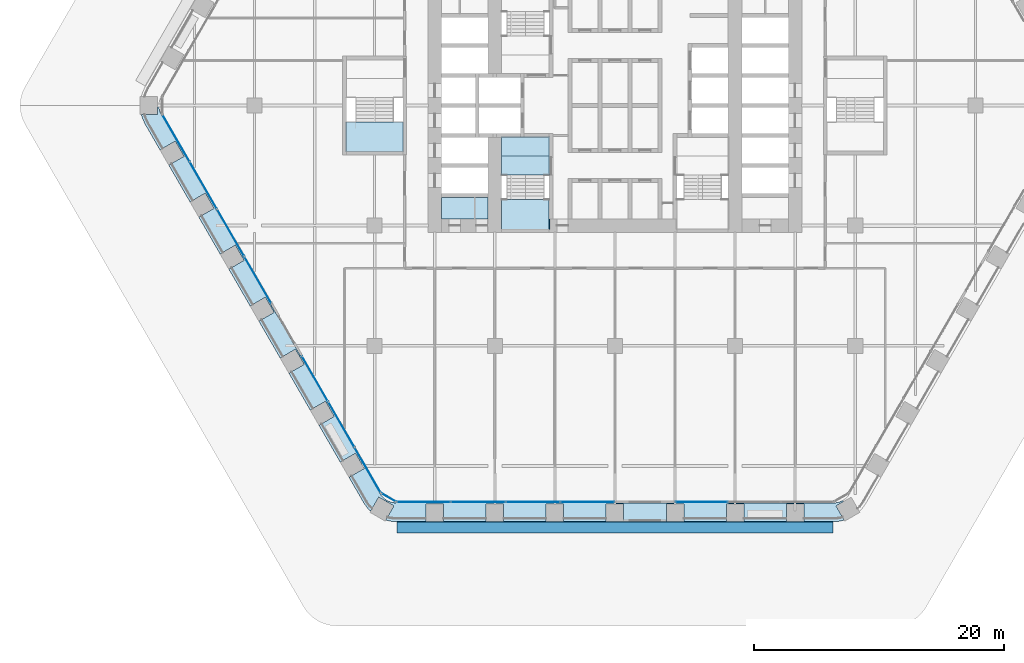
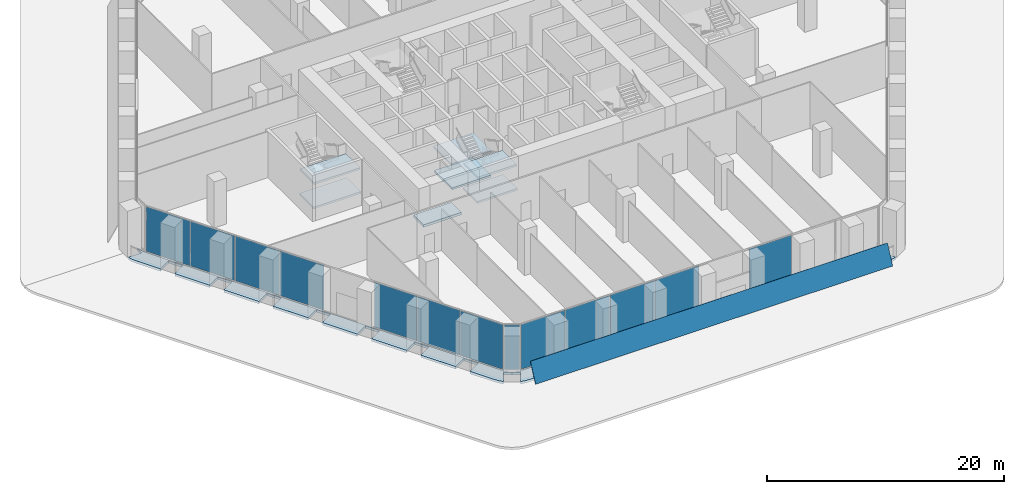
# One storey, part 14 of 29: 14 plates, 10 slabs, 7 elements without a shape of their own.
"""IFC4 building model written with IfcOpenShell, lengths in metres."""

from ifc_helpers import new_model, si_unit, direction, frame, origin, origin_2d, place, context, subcontext, project, spatial, polyline, rectangle, outline, extrude, material, layer, layer_set, type_object, element, aggregate, save


model = new_model("IFC4")

# Units and contexts
model_context = context("Model", 3, precision=1e-05, world=origin(), true_north=direction((0.0, 1.0)))
body_context = subcontext(model_context, "Body", "Model", "MODEL_VIEW")
ifc_project = project(units=[si_unit("LENGTHUNIT", "METRE"), si_unit("AREAUNIT", "SQUARE_METRE"), si_unit("VOLUMEUNIT", "CUBIC_METRE"), si_unit("PLANEANGLEUNIT", "RADIAN"), si_unit("MASSUNIT", "GRAM", prefix="KILO")], contexts=[model_context])

# Site, building, storey
site_placement = place(None, origin())
site = spatial("IfcSite", under=ifc_project, at=site_placement, CompositionType="ELEMENT")
building_placement = place(site_placement, origin())
building = spatial("IfcBuilding", under=site, at=building_placement, Name="Kolab Exchange Tower", CompositionType="ELEMENT")
storey_placement = place(building_placement, frame((0.0, 0.0, 17.39990234375)))
storey = spatial("IfcBuildingStorey", under=building, at=storey_placement, Name="L03", CompositionType="ELEMENT", Elevation=17.39990234375)

# Slabs
ifc_material_1 = material(Name="Concrete C35/45", Category="concrete")
ifc_layer_1 = layer(ifc_material_1, 0.25)
ifc_layer_set_1 = layer_set([ifc_layer_1], Name="Concrete C35/45")
slab_type_1 = type_object("IfcSlabType", Name="FLOOR SLAB 250", PredefinedType="FLOOR", material=ifc_layer_set_1)
slab_1_placement = place(storey_placement, frame((0.0, 0.0, -0.25)))
element("IfcSlab", 1, at=slab_1_placement, inside=storey, type_object=slab_type_1, Name="slab/L03/floor/10", PredefinedType="FLOOR", context=body_context, shape_type="SweptSolid", body=[
    extrude(outline(polyline([(-10.14990234375, -9.050048828125), (-10.14990234375, -7.35009765625), (-13.85009765625, -7.35009765625), (-13.85009765625, -9.050048828125), (-10.14990234375, -9.050048828125)])), origin(), (0.0, 0.0, 1.0), 0.25),
])
slab_2_placement = place(storey_placement, frame((0.0, 0.0, -0.25)))
element("IfcSlab", 2, at=slab_2_placement, inside=storey, type_object=slab_type_1, Name="slab/L03/floor/21", PredefinedType="FLOOR", context=body_context, shape_type="SweptSolid", body=[
    extrude(outline(polyline([(-9.050048828125, -4.050048828125), (-5.25, -4.050048828125), (-5.25, -2.550048828125), (-7.25, -2.550048828125), (-7.550048828125, -2.550048828125), (-9.050048828125, -2.550048828125), (-9.050048828125, -4.050048828125)])), origin(), (0.0, 0.0, 1.0), 0.25),
])
ifc_layer_2 = layer(ifc_material_1, 0.25)
ifc_layer_set_2 = layer_set([ifc_layer_2], Name="Concrete C35/45")
slab_type_2 = type_object("IfcSlabType", Name="LOGGIA SLAB 250", PredefinedType="FLOOR", material=ifc_layer_set_2)
slab_3_placement = place(storey_placement, frame((0.0, 0.0, -0.25)))
element("IfcSlab", 3, at=slab_3_placement, inside=storey, type_object=slab_type_2, Name="slab/L03/loggia/3-0", PredefinedType="FLOOR", context=body_context, shape_type="SweptSolid", body=[
    extrude(outline(polyline([(-18.218017578125, -31.554443359375), (-18.26806640625, -31.64111328125), (-17.66162109375, -31.990966796875), (-18.31494140625, -33.122314453125), (-17.989013671875, -33.209716796875), (-17.468017578125, -33.25537109375), (-15.10009765625, -33.25537109375), (-15.10009765625, -31.85546875), (-13.699951171875, -31.85546875), (-13.699951171875, -33.25537109375), (-10.300048828125, -33.25537109375), (-10.300048828125, -31.85546875), (-8.89990234375, -31.85546875), (-8.89990234375, -33.25537109375), (-5.5, -33.25537109375), (-5.5, -31.85546875), (-4.10009765625, -31.85546875), (-4.10009765625, -33.25537109375), (-0.699951171875, -33.25537109375), (-0.699951171875, -31.85546875), (0.699951171875, -31.85546875), (0.699951171875, -33.25537109375), (4.10009765625, -33.25537109375), (4.10009765625, -31.85546875), (5.5, -31.85546875), (5.5, -33.25537109375), (8.89990234375, -33.25537109375), (8.89990234375, -31.85546875), (10.300048828125, -31.85546875), (10.300048828125, -33.25537109375), (13.699951171875, -33.25537109375), (13.699951171875, -31.85546875), (15.10009765625, -31.85546875), (15.10009765625, -33.25537109375), (17.468017578125, -33.25537109375), (17.989013671875, -33.209716796875), (18.31494140625, -33.122314453125), (17.66162109375, -31.990966796875), (18.26806640625, -31.64111328125), (18.218017578125, -31.554443359375), (17.98095703125, -31.664794921875), (17.728515625, -31.732666015625), (17.468017578125, -31.75537109375), (-17.468017578125, -31.75537109375), (-17.728515625, -31.732666015625), (-17.98095703125, -31.664794921875), (-18.218017578125, -31.554443359375)])), origin(), (0.0, 0.0, 1.0), 0.25),
])
slab_4_placement = place(storey_placement, frame((0.0, 0.0, -0.25)))
element("IfcSlab", 4, at=slab_4_placement, inside=storey, type_object=slab_type_2, Name="slab/L03/loggia/4-0", PredefinedType="FLOOR", context=body_context, shape_type="SweptSolid", body=[
    extrude(outline(polyline([(-36.435791015625, 0.0), (-36.535888671875, 0.0), (-36.535888671875, -0.699951171875), (-37.84228515625, -0.699951171875), (-37.7548828125, -1.026123046875), (-37.533935546875, -1.5), (-36.35009765625, -3.55078125), (-35.137451171875, -2.8505859375), (-34.4375, -4.063232421875), (-35.64990234375, -4.76318359375), (-33.949951171875, -7.70751953125), (-32.737548828125, -7.007568359375), (-32.03759765625, -8.219970703125), (-33.25, -8.920166015625), (-31.550048828125, -11.864501953125), (-30.337646484375, -11.16455078125), (-29.637451171875, -12.376953125), (-30.85009765625, -13.076904296875), (-29.14990234375, -16.021484375), (-27.9375, -15.321533203125), (-27.237548828125, -16.533935546875), (-28.449951171875, -17.23388671875), (-26.75, -20.178466796875), (-25.53759765625, -19.478271484375), (-24.837646484375, -20.69091796875), (-26.050048828125, -21.390869140625), (-24.35009765625, -24.335205078125), (-23.137451171875, -23.63525390625), (-22.4375, -24.84765625), (-23.64990234375, -25.5478515625), (-21.949951171875, -28.4921875), (-20.737548828125, -27.792236328125), (-20.03759765625, -29.004638671875), (-21.25, -29.70458984375), (-20.06591796875, -31.75537109375), (-19.76611328125, -32.183837890625), (-19.52734375, -32.42236328125), (-18.874267578125, -31.291015625), (-18.26806640625, -31.64111328125), (-18.218017578125, -31.554443359375), (-18.43212890625, -31.404541015625), (-18.616943359375, -31.219482421875), (-18.76708984375, -31.00537109375), (-36.23486328125, -0.75), (-36.345458984375, -0.512939453125), (-36.4130859375, -0.260498046875), (-36.435791015625, 0.0)])), origin(), (0.0, 0.0, 1.0), 0.25),
])

# Plate
ifc_material_2 = material(Name="Laminated glass, clear", Category="glass")
ifc_layer_3 = layer(ifc_material_2, 0.0400390625)
ifc_layer_set_3 = layer_set([ifc_layer_3], Name="Laminated glass, clear")
plate_type_1 = type_object("IfcPlateType", Name="OUTER SKIN LAMINATED GLASS SHEET 40", PredefinedType="SHEET", material=ifc_layer_set_3)
plate_1_placement = place(storey_placement, frame((17.41796875, -34.160400390625, 0.027099609375), z_axis=(0.0, -0.90630448544, 0.422625341965), x_axis=(-1.0, 0.0, 0.0)))
element("IfcPlate", 5, at=plate_1_placement, inside=storey, type_object=plate_type_1, Name="Outer skin", PredefinedType="SHEET", context=body_context, shape_type="SweptSolid", body=[
    extrude(outline(polyline([(0.0, 0.0), (34.8359375, 0.0), (34.8359375, -2.0553721168505734), (0.0, -2.0553721168505734), (0.0, 0.0)])), origin(), (0.0, 0.0, -1.0), 0.0400390625),
])

# Stair, slabs
ifc_material_3 = material(Name="Concrete C50/60", Category="concrete")
stair_type_1 = type_object("IfcStairType", Name="STAIR ST3 RISER 156.2", PredefinedType="DOUBLE_RETURN_STAIR", material=ifc_material_3)
stair_1_placement = place(storey_placement, origin())
stair_1 = element("IfcStair", 6, at=stair_1_placement, inside=storey, type_object=stair_type_1, Name="Stair 3", PredefinedType="DOUBLE_RETURN_STAIR")
ifc_layer_4 = layer(ifc_material_3, 0.199951171875)
ifc_layer_set_4 = layer_set([ifc_layer_4], Name="Concrete C50/60")
slab_type_3 = type_object("IfcSlabType", Name="STAIR LANDING 200", PredefinedType="LANDING", material=ifc_layer_set_4)
slab_5_placement = place(storey_placement, frame((0.0, 0.0, -0.199951171875)))
slab_5 = element("IfcSlab", 7, at=slab_5_placement, type_object=slab_type_3, Name="ST3 landing 1", PredefinedType="LANDING", context=body_context, shape_type="SweptSolid", body=[
    extrude(outline(polyline([(-9.050048828125, -5.550048828125), (-5.25, -5.550048828125), (-5.25, -4.050048828125), (-9.050048828125, -4.050048828125), (-9.050048828125, -5.550048828125)])), origin(), (0.0, 0.0, 1.0), 0.199951171875),
])
slab_6_placement = place(storey_placement, frame((0.0, 0.0, 1.050048828125)))
slab_6 = element("IfcSlab", 8, at=slab_6_placement, type_object=slab_type_3, Name="ST3 landing 2", PredefinedType="LANDING", context=body_context, shape_type="SweptSolid", body=[
    extrude(outline(polyline([(-9.110107421875, -9.909912109375), (-5.18994140625, -9.909912109375), (-5.18994140625, -7.510009765625), (-9.110107421875, -7.510009765625), (-9.110107421875, -9.909912109375)])), origin(), (0.0, 0.0, 1.0), 0.199951171875),
])
slab_7_placement = place(storey_placement, frame((0.0, 0.0, 2.300048828125)))
slab_7 = element("IfcSlab", 9, at=slab_7_placement, type_object=slab_type_3, Name="ST3 landing 3", PredefinedType="LANDING", context=body_context, shape_type="SweptSolid", body=[
    extrude(outline(polyline([(-9.110107421875, -5.550048828125), (-5.18994140625, -5.550048828125), (-5.18994140625, -2.489990234375), (-9.110107421875, -2.489990234375), (-9.110107421875, -5.550048828125)])), origin(), (0.0, 0.0, 1.0), 0.199951171875),
])
slab_8_placement = place(storey_placement, frame((0.0, 0.0, 3.550048828125)))
slab_8 = element("IfcSlab", 10, at=slab_8_placement, type_object=slab_type_3, Name="ST3 landing 4", PredefinedType="LANDING", context=body_context, shape_type="SweptSolid", body=[
    extrude(outline(polyline([(-9.050048828125, -9.909912109375), (-5.25, -9.909912109375), (-5.25, -7.510009765625), (-9.050048828125, -7.510009765625), (-9.050048828125, -9.909912109375)])), origin(), (0.0, 0.0, 1.0), 0.199951171875),
])
aggregate(stair_1, [slab_5, slab_6, slab_7, slab_8])

stair_type_2 = type_object("IfcStairType", Name="STAIR ST5 RISER 156.2", PredefinedType="DOUBLE_RETURN_STAIR", material=ifc_material_3)
stair_2_placement = place(storey_placement, origin())
stair_2 = element("IfcStair", 11, at=stair_2_placement, inside=storey, type_object=stair_type_2, Name="Stair 5", PredefinedType="DOUBLE_RETURN_STAIR")
slab_9_placement = place(storey_placement, frame((0.0, 0.0, 1.050048828125)))
slab_9 = element("IfcSlab", 12, at=slab_9_placement, type_object=slab_type_3, Name="ST5 landing 2", PredefinedType="LANDING", context=body_context, shape_type="SweptSolid", body=[
    extrude(outline(polyline([(-21.510009765625, -3.7099609375), (-16.889892578125, -3.7099609375), (-16.889892578125, -1.31005859375), (-21.510009765625, -1.31005859375), (-21.510009765625, -3.7099609375)])), origin(), (0.0, 0.0, 1.0), 0.199951171875),
])
slab_10_placement = place(storey_placement, frame((0.0, 0.0, 3.550048828125)))
slab_10 = element("IfcSlab", 13, at=slab_10_placement, type_object=slab_type_3, Name="ST5 landing 4", PredefinedType="LANDING", context=body_context, shape_type="SweptSolid", body=[
    extrude(outline(polyline([(-21.449951171875, -3.7099609375), (-16.949951171875, -3.7099609375), (-16.949951171875, -1.31005859375), (-21.449951171875, -1.31005859375), (-21.449951171875, -3.7099609375)])), origin(), (0.0, 0.0, 1.0), 0.199951171875),
])
aggregate(stair_2, [slab_9, slab_10])

# Curtain wall, plate
ifc_material_4 = material(Name="Aluminium EN AW-6063 T6", Category="aluminium")
curtain_wall_type = type_object("IfcCurtainWallType", Name="UNITISED LOW ZONE CURTAIN WALL", PredefinedType="NOTDEFINED", material=ifc_material_4)
curtain_wall_1_placement = place(storey_placement, origin())
curtain_wall_1 = element("IfcCurtainWall", 14, at=curtain_wall_1_placement, inside=storey, type_object=curtain_wall_type, Name="cw/L03/F4-1", PredefinedType="NOTDEFINED")
ifc_material_5 = material(Name="Clear insulated glazing unit", Category="glass")
ifc_layer_5 = layer(ifc_material_5, 0.02392578125)
ifc_layer_set_5 = layer_set([ifc_layer_5], Name="Clear insulated glazing unit")
plate_type_2 = type_object("IfcPlateType", Name="UNITISED LOW ZONE GLASS PANEL 24", PredefinedType="CURTAIN_PANEL", material=ifc_layer_set_5)
plate_2_placement = place(storey_placement, frame((6.92626953125, -31.67529296875, 0.06005859375), z_axis=(0.0, 0.0, 1.0), x_axis=(-1.0, 0.0, 0.0)))
plate_2 = element("IfcPlate", 15, at=plate_2_placement, type_object=plate_type_2, Name="CW1 panel 3.1", PredefinedType="CURTAIN_PANEL", context=body_context, shape_type="SweptSolid", body=[
    extrude(rectangle(XDim=4.132568359375, YDim=0.02392578125, at=origin_2d()), origin(), (0.0, 0.0, 1.0), 4.6298828125),
])
aggregate(curtain_wall_1, [plate_2])

# Curtain wall, plates
curtain_wall_2_placement = place(storey_placement, origin())
curtain_wall_2 = element("IfcCurtainWall", 16, at=curtain_wall_2_placement, inside=storey, type_object=curtain_wall_type, Name="cw/L03/F4-2", PredefinedType="NOTDEFINED")
plate_3_placement = place(storey_placement, frame((-2.198486328125, -31.67529296875, 0.06005859375), z_axis=(0.0, 0.0, 1.0), x_axis=(-1.0, 0.0, 0.0)))
plate_3 = element("IfcPlate", 17, at=plate_3_placement, type_object=plate_type_2, Name="CW1 panel 1.1", PredefinedType="CURTAIN_PANEL", context=body_context, shape_type="SweptSolid", body=[
    extrude(rectangle(XDim=4.277099609375, YDim=0.02392578125, at=origin_2d()), origin(), (0.0, 0.0, 1.0), 4.6298828125),
])
plate_4_placement = place(storey_placement, frame((-6.550537109375, -31.67529296875, 0.06005859375), z_axis=(0.0, 0.0, 1.0), x_axis=(-1.0, 0.0, 0.0)))
plate_4 = element("IfcPlate", 18, at=plate_4_placement, type_object=plate_type_2, Name="CW1 panel 2.1", PredefinedType="CURTAIN_PANEL", context=body_context, shape_type="SweptSolid", body=[
    extrude(rectangle(XDim=4.306884765625, YDim=0.02392578125, at=origin_2d()), origin(), (0.0, 0.0, 1.0), 4.6298828125),
])
plate_5_placement = place(storey_placement, frame((-10.91748046875, -31.67529296875, 0.06005859375), z_axis=(0.0, 0.0, 1.0), x_axis=(-1.0, 0.0, 0.0)))
plate_5 = element("IfcPlate", 19, at=plate_5_placement, type_object=plate_type_2, Name="CW1 panel 3.1", PredefinedType="CURTAIN_PANEL", context=body_context, shape_type="SweptSolid", body=[
    extrude(rectangle(XDim=4.306884765625, YDim=0.02392578125, at=origin_2d()), origin(), (0.0, 0.0, 1.0), 4.6298828125),
])
plate_6_placement = place(storey_placement, frame((-15.26953125, -31.67529296875, 0.06005859375), z_axis=(0.0, 0.0, 1.0), x_axis=(-1.0, 0.0, 0.0)))
plate_6 = element("IfcPlate", 20, at=plate_6_placement, type_object=plate_type_2, Name="CW1 panel 4.1", PredefinedType="CURTAIN_PANEL", context=body_context, shape_type="SweptSolid", body=[
    extrude(rectangle(XDim=4.277099609375, YDim=0.02392578125, at=origin_2d()), origin(), (0.0, 0.0, 1.0), 4.6298828125),
])
aggregate(curtain_wall_2, [plate_3, plate_4, plate_5, plate_6])

curtain_wall_3_placement = place(storey_placement, origin())
curtain_wall_3 = element("IfcCurtainWall", 21, at=curtain_wall_3_placement, inside=storey, type_object=curtain_wall_type, Name="cw/L03/F5-1", PredefinedType="NOTDEFINED")
plate_7_placement = place(storey_placement, frame((-19.760986328125, -29.1240234375, 0.06005859375), z_axis=(0.0, 0.0, 1.0), x_axis=(-0.500000017564, 0.866025393644, 0.0)))
plate_7 = element("IfcPlate", 22, at=plate_7_placement, type_object=plate_type_2, Name="CW1 panel 1.1", PredefinedType="CURTAIN_PANEL", context=body_context, shape_type="SweptSolid", body=[
    extrude(rectangle(XDim=4.132568359375, YDim=0.02392578125, at=origin_2d()), origin(), (0.0, 0.0, 1.0), 4.6298828125),
])
plate_8_placement = place(storey_placement, frame((-21.86474609375, -25.47998046875, 0.06005859375), z_axis=(0.0, 0.0, 1.0), x_axis=(-0.500000017564, 0.866025393644, 0.0)))
plate_8 = element("IfcPlate", 23, at=plate_8_placement, type_object=plate_type_2, Name="CW1 panel 2.1", PredefinedType="CURTAIN_PANEL", context=body_context, shape_type="SweptSolid", body=[
    extrude(rectangle(XDim=4.16259765625, YDim=0.02392578125, at=origin_2d()), origin(), (0.0, 0.0, 1.0), 4.6298828125),
])
plate_9_placement = place(storey_placement, frame((-23.968505859375, -21.836181640625, 0.06005859375), z_axis=(0.0, 0.0, 1.0), x_axis=(-0.500000017564, 0.866025393644, 0.0)))
plate_9 = element("IfcPlate", 24, at=plate_9_placement, type_object=plate_type_2, Name="CW1 panel 3.1", PredefinedType="CURTAIN_PANEL", context=body_context, shape_type="SweptSolid", body=[
    extrude(rectangle(XDim=4.132568359375, YDim=0.02392578125, at=origin_2d()), origin(), (0.0, 0.0, 1.0), 4.6298828125),
])
aggregate(curtain_wall_3, [plate_7, plate_8, plate_9])

curtain_wall_4_placement = place(storey_placement, origin())
curtain_wall_4 = element("IfcCurtainWall", 25, at=curtain_wall_4_placement, inside=storey, type_object=curtain_wall_type, Name="cw/L03/F5-2", PredefinedType="NOTDEFINED")
plate_10_placement = place(storey_placement, frame((-28.531005859375, -13.933837890625, 0.06005859375), z_axis=(0.0, 0.0, 1.0), x_axis=(-0.499999968274, 0.866025422102, 0.0)))
plate_10 = element("IfcPlate", 26, at=plate_10_placement, type_object=plate_type_2, Name="CW1 panel 1.1", PredefinedType="CURTAIN_PANEL", context=body_context, shape_type="SweptSolid", body=[
    extrude(rectangle(XDim=4.277099609375, YDim=0.02392578125, at=origin_2d()), origin(), (0.0, 0.0, 1.0), 4.6298828125),
])
plate_11_placement = place(storey_placement, frame((-30.70703125, -10.164794921875, 0.06005859375), z_axis=(0.0, 0.0, 1.0), x_axis=(-0.499999968274, 0.866025422102, 0.0)))
plate_11 = element("IfcPlate", 27, at=plate_11_placement, type_object=plate_type_2, Name="CW1 panel 2.1", PredefinedType="CURTAIN_PANEL", context=body_context, shape_type="SweptSolid", body=[
    extrude(rectangle(XDim=4.306884765625, YDim=0.02392578125, at=origin_2d()), origin(), (0.0, 0.0, 1.0), 4.6298828125),
])
plate_12_placement = place(storey_placement, frame((-32.890380859375, -6.3828125, 0.06005859375), z_axis=(0.0, 0.0, 1.0), x_axis=(-0.499999968274, 0.866025422102, 0.0)))
plate_12 = element("IfcPlate", 28, at=plate_12_placement, type_object=plate_type_2, Name="CW1 panel 3.1", PredefinedType="CURTAIN_PANEL", context=body_context, shape_type="SweptSolid", body=[
    extrude(rectangle(XDim=4.306884765625, YDim=0.02392578125, at=origin_2d()), origin(), (0.0, 0.0, 1.0), 4.6298828125),
])
plate_13_placement = place(storey_placement, frame((-35.06640625, -2.614013671875, 0.06005859375), z_axis=(0.0, 0.0, 1.0), x_axis=(-0.499999968274, 0.866025422102, 0.0)))
plate_13 = element("IfcPlate", 29, at=plate_13_placement, type_object=plate_type_2, Name="CW1 panel 4.1", PredefinedType="CURTAIN_PANEL", context=body_context, shape_type="SweptSolid", body=[
    extrude(rectangle(XDim=4.277099609375, YDim=0.02392578125, at=origin_2d()), origin(), (0.0, 0.0, 1.0), 4.6298828125),
])
aggregate(curtain_wall_4, [plate_10, plate_11, plate_12, plate_13])

# Curtain wall, plate
curtain_wall_5_placement = place(storey_placement, origin())
curtain_wall_5 = element("IfcCurtainWall", 30, at=curtain_wall_5_placement, inside=storey, type_object=curtain_wall_type, Name="cw/L03/F4F5-corner", PredefinedType="NOTDEFINED")
plate_14_placement = place(storey_placement, frame((-18.082763671875, -31.3203125, 0.06005859375), z_axis=(0.0, 0.0, 1.0), x_axis=(-0.866025390869, 0.50000002237, 0.0)))
plate_14 = element("IfcPlate", 31, at=plate_14_placement, type_object=plate_type_2, Name="CW1 panel 1.1", PredefinedType="CURTAIN_PANEL", context=body_context, shape_type="SweptSolid", body=[
    extrude(rectangle(XDim=1.300048828125, YDim=0.02392578125, at=origin_2d()), origin(), (0.0, 0.0, 1.0), 4.6298828125),
])
aggregate(curtain_wall_5, [plate_14])

save(model, "model.ifc")
